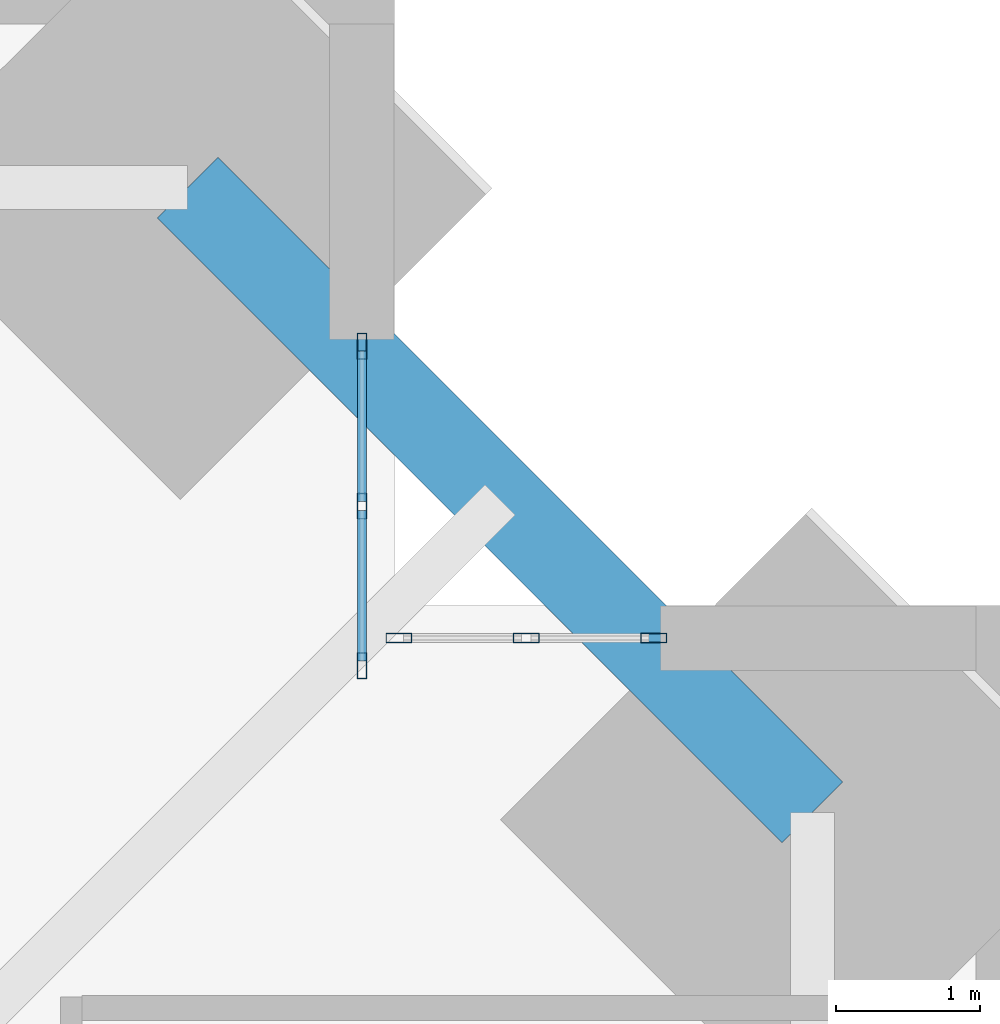
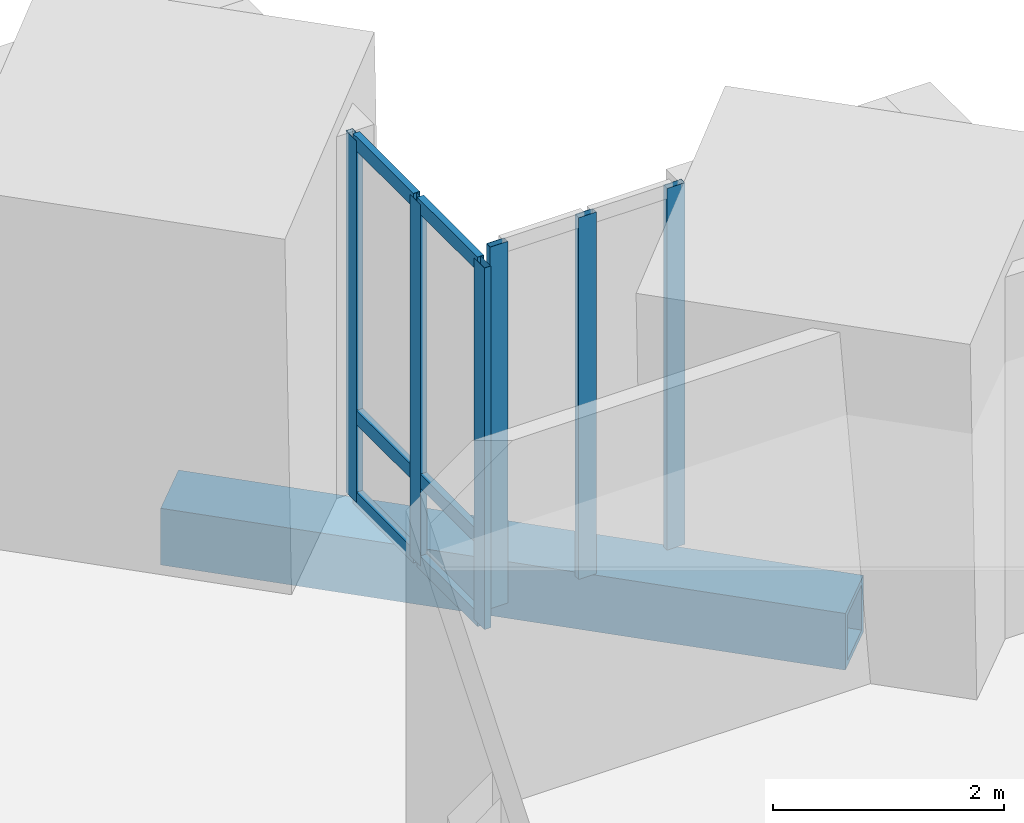
# One storey, part 8 of 15: 12 members, 1 beam, 2 elements without a shape of their own.
"""IFC4 building model written with IfcOpenShell, lengths in metres."""

from ifc_helpers import new_model, si_unit, direction, frame, origin, origin_2d, place, context, subcontext, project, spatial, hollow_rectangle, extrude, material, material_profile, profile_set, type_object, element, aggregate, save


model = new_model("IFC4")

# Units and contexts
model_context = context("Model", 3, precision=1e-05, world=origin(), true_north=direction((0.0, 1.0)))
body_context = subcontext(model_context, "Body", "Model", "MODEL_VIEW")
ifc_project = project(units=[si_unit("LENGTHUNIT", "METRE"), si_unit("AREAUNIT", "SQUARE_METRE"), si_unit("VOLUMEUNIT", "CUBIC_METRE"), si_unit("PLANEANGLEUNIT", "RADIAN"), si_unit("MASSUNIT", "GRAM", prefix="KILO")], contexts=[model_context])

# Site, building, storey
site_placement = place(None, origin())
site = spatial("IfcSite", under=ifc_project, at=site_placement, CompositionType="ELEMENT")
building_placement = place(site_placement, origin())
building = spatial("IfcBuilding", under=site, at=building_placement, Name="Peilmerk Tower", CompositionType="ELEMENT")
storey_placement = place(building_placement, frame((0.0, 0.0, 289.800048828125)))
storey = spatial("IfcBuildingStorey", under=building, at=storey_placement, Name="L65", CompositionType="ELEMENT", Elevation=289.800048828125)

# Beam
ifc_material_1 = material(Name="Steel S460", Category="steel")
ifc_material_profile_1 = material_profile(ifc_material_1, hollow_rectangle(XDim=0.60009765625, YDim=0.60009765625, WallThickness=0.06005859375, at=origin_2d()), Name="BOX 600x600x60")
ifc_profile_set_1 = profile_set([ifc_material_profile_1], Name="Steel S460")
beam_type = type_object("IfcBeamType", Name="B20 BOX 600x600x60 notch beam", PredefinedType="SPANDREL", material=ifc_profile_set_1)
beam_placement = place(storey_placement, frame((14.861328125, 19.211181640625, -0.469970703125), z_axis=(0.707106781187, -0.707106781187, 0.0), x_axis=(0.707106781187, 0.707106781187, 0.0)))
element("IfcBeam", 1, at=beam_placement, inside=storey, type_object=beam_type, Name="Notch beam L65", PredefinedType="SPANDREL", context=body_context, shape_type="SweptSolid", body=[
    extrude(hollow_rectangle(XDim=0.60009765625, YDim=0.60009765625, WallThickness=0.06005859375, at=origin_2d()), origin(), (0.0, 0.0, 1.0), 6.151611328125),
])

# Curtain wall, members
ifc_material_2 = material(Name="Aluminium stick curtain wall", Category="aluminium")
curtain_wall_type = type_object("IfcCurtainWallType", Name="CW4 stick curtain wall, 2250 module", PredefinedType="NOTDEFINED", material=ifc_material_2)
curtain_wall_1_placement = place(storey_placement, origin())
curtain_wall_1 = element("IfcCurtainWall", 2, at=curtain_wall_1_placement, inside=storey, type_object=curtain_wall_type, Name="Curtain wall CW4 NEA L65", PredefinedType="NOTDEFINED")
ifc_material_3 = material(Name="Aluminium EN AW-6063 T6", Category="aluminium")
ifc_material_profile_2 = material_profile(ifc_material_3, hollow_rectangle(XDim=0.06494140625, YDim=0.179931640625, WallThickness=0.0029296875, at=origin_2d()), Name="AL 180x65x3")
ifc_profile_set_2 = profile_set([ifc_material_profile_2], Name="Aluminium EN AW-6063 T6")
member_type_1 = type_object("IfcMemberType", Name="CW4-M AL 180x65x3 mullion", PredefinedType="MULLION", material=ifc_profile_set_2)
member_1_placement = place(storey_placement, frame((16.074951171875, 15.882568359375, 0.0), z_axis=(0.0, 0.0, 1.0), x_axis=(-1.0, 0.0, 0.0)))
member_1 = element("IfcMember", 3, at=member_1_placement, type_object=member_type_1, Name="CW4 mullion 1", PredefinedType="MULLION", context=body_context, shape_type="SweptSolid", body=[
    extrude(hollow_rectangle(XDim=0.06494140625, YDim=0.179931640625, WallThickness=0.0029296875, at=origin_2d()), origin(), (0.0, 0.0, 1.0), 3.829833984375),
])
member_2_placement = place(storey_placement, frame((16.074951171875, 16.994384765625, 0.0), z_axis=(0.0, 0.0, 1.0), x_axis=(-1.0, 0.0, 0.0)))
member_2 = element("IfcMember", 4, at=member_2_placement, type_object=member_type_1, Name="CW4 mullion 2", PredefinedType="MULLION", context=body_context, shape_type="SweptSolid", body=[
    extrude(hollow_rectangle(XDim=0.06494140625, YDim=0.179931640625, WallThickness=0.0029296875, at=origin_2d()), origin(), (0.0, 0.0, 1.0), 3.829833984375),
])
member_3_placement = place(storey_placement, frame((16.074951171875, 18.106201171875, 0.0), z_axis=(0.0, 0.0, 1.0), x_axis=(-1.0, 0.0, 0.0)))
member_3 = element("IfcMember", 5, at=member_3_placement, type_object=member_type_1, Name="CW4 mullion 3", PredefinedType="MULLION", context=body_context, shape_type="SweptSolid", body=[
    extrude(hollow_rectangle(XDim=0.06494140625, YDim=0.179931640625, WallThickness=0.0029296875, at=origin_2d()), origin(), (0.0, 0.0, 1.0), 3.829833984375),
])

curtain_wall_2_placement = place(storey_placement, origin())
curtain_wall_2 = element("IfcCurtainWall", 6, at=curtain_wall_2_placement, inside=storey, type_object=curtain_wall_type, Name="Curtain wall CW4 NEB L65", PredefinedType="NOTDEFINED")
member_4_placement = place(storey_placement, frame((16.33251953125, 16.074951171875, 0.0), z_axis=(0.0, 0.0, 1.0), x_axis=(0.0, 1.0, 0.0)))
member_4 = element("IfcMember", 7, at=member_4_placement, type_object=member_type_1, Name="CW4 mullion 1", PredefinedType="MULLION", context=body_context, shape_type="SweptSolid", body=[
    extrude(hollow_rectangle(XDim=0.06494140625, YDim=0.179931640625, WallThickness=0.0029296875, at=origin_2d()), origin(), (0.0, 0.0, 1.0), 3.829833984375),
])
member_5_placement = place(storey_placement, frame((17.21923828125, 16.074951171875, 0.0), z_axis=(0.0, 0.0, 1.0), x_axis=(0.0, 1.0, 0.0)))
member_5 = element("IfcMember", 8, at=member_5_placement, type_object=member_type_1, Name="CW4 mullion 2", PredefinedType="MULLION", context=body_context, shape_type="SweptSolid", body=[
    extrude(hollow_rectangle(XDim=0.06494140625, YDim=0.179931640625, WallThickness=0.0029296875, at=origin_2d()), origin(), (0.0, 0.0, 1.0), 3.829833984375),
])
member_6_placement = place(storey_placement, frame((18.106201171875, 16.074951171875, 0.0), z_axis=(0.0, 0.0, 1.0), x_axis=(0.0, 1.0, 0.0)))
member_6 = element("IfcMember", 9, at=member_6_placement, type_object=member_type_1, Name="CW4 mullion 3", PredefinedType="MULLION", context=body_context, shape_type="SweptSolid", body=[
    extrude(hollow_rectangle(XDim=0.06494140625, YDim=0.179931640625, WallThickness=0.0029296875, at=origin_2d()), origin(), (0.0, 0.0, 1.0), 3.829833984375),
])
aggregate(curtain_wall_2, [member_4, member_5, member_6])

# Member
ifc_material_profile_3 = material_profile(ifc_material_3, hollow_rectangle(XDim=0.06494140625, YDim=0.14990234375, WallThickness=0.0029296875, at=origin_2d()), Name="AL 150x65x3")
ifc_profile_set_3 = profile_set([ifc_material_profile_3], Name="Aluminium EN AW-6063 T6")
member_type_2 = type_object("IfcMemberType", Name="CW4-T AL 150x65x3 transom", PredefinedType="USERDEFINED", material=ifc_profile_set_3)
member_7_placement = place(storey_placement, frame((16.074951171875, 15.9150390625, 0.032470703125), z_axis=(0.0, 1.0, 0.0), x_axis=(-1.0, 0.0, 0.0)))
member_7 = element("IfcMember", 10, at=member_7_placement, type_object=member_type_2, Name="CW4 transom 1.1", ObjectType="TRANSOM", PredefinedType="USERDEFINED", context=body_context, shape_type="SweptSolid", body=[
    extrude(hollow_rectangle(XDim=0.06494140625, YDim=0.14990234375, WallThickness=0.0029296875, at=origin_2d()), origin(), (0.0, 0.0, 1.0), 1.046875),
])

member_8_placement = place(storey_placement, frame((16.074951171875, 15.9150390625, 0.89990234375), z_axis=(0.0, 1.0, 0.0), x_axis=(-1.0, 0.0, 0.0)))
member_8 = element("IfcMember", 11, at=member_8_placement, type_object=member_type_2, Name="CW4 transom 1.2", ObjectType="TRANSOM", PredefinedType="USERDEFINED", context=body_context, shape_type="SweptSolid", body=[
    extrude(hollow_rectangle(XDim=0.06494140625, YDim=0.14990234375, WallThickness=0.0029296875, at=origin_2d()), origin(), (0.0, 0.0, 1.0), 1.046875),
])

member_9_placement = place(storey_placement, frame((16.074951171875, 15.9150390625, 3.79736328125), z_axis=(0.0, 1.0, 0.0), x_axis=(-1.0, 0.0, 0.0)))
member_9 = element("IfcMember", 12, at=member_9_placement, type_object=member_type_2, Name="CW4 transom 1.3", ObjectType="TRANSOM", PredefinedType="USERDEFINED", context=body_context, shape_type="SweptSolid", body=[
    extrude(hollow_rectangle(XDim=0.06494140625, YDim=0.14990234375, WallThickness=0.0029296875, at=origin_2d()), origin(), (0.0, 0.0, 1.0), 1.046875),
])

member_10_placement = place(storey_placement, frame((16.074951171875, 17.02685546875, 0.032470703125), z_axis=(0.0, 1.0, 0.0), x_axis=(-1.0, 0.0, 0.0)))
member_10 = element("IfcMember", 13, at=member_10_placement, type_object=member_type_2, Name="CW4 transom 2.1", ObjectType="TRANSOM", PredefinedType="USERDEFINED", context=body_context, shape_type="SweptSolid", body=[
    extrude(hollow_rectangle(XDim=0.06494140625, YDim=0.14990234375, WallThickness=0.0029296875, at=origin_2d()), origin(), (0.0, 0.0, 1.0), 1.046875),
])

member_11_placement = place(storey_placement, frame((16.074951171875, 17.02685546875, 0.89990234375), z_axis=(0.0, 1.0, 0.0), x_axis=(-1.0, 0.0, 0.0)))
member_11 = element("IfcMember", 14, at=member_11_placement, type_object=member_type_2, Name="CW4 transom 2.2", ObjectType="TRANSOM", PredefinedType="USERDEFINED", context=body_context, shape_type="SweptSolid", body=[
    extrude(hollow_rectangle(XDim=0.06494140625, YDim=0.14990234375, WallThickness=0.0029296875, at=origin_2d()), origin(), (0.0, 0.0, 1.0), 1.046875),
])

member_12_placement = place(storey_placement, frame((16.074951171875, 17.02685546875, 3.79736328125), z_axis=(0.0, 1.0, 0.0), x_axis=(-1.0, 0.0, 0.0)))
member_12 = element("IfcMember", 15, at=member_12_placement, type_object=member_type_2, Name="CW4 transom 2.3", ObjectType="TRANSOM", PredefinedType="USERDEFINED", context=body_context, shape_type="SweptSolid", body=[
    extrude(hollow_rectangle(XDim=0.06494140625, YDim=0.14990234375, WallThickness=0.0029296875, at=origin_2d()), origin(), (0.0, 0.0, 1.0), 1.046875),
])

aggregate(curtain_wall_1, [member_1, member_2, member_3, member_7, member_8, member_9, member_10, member_11, member_12])

save(model, "model.ifc")
